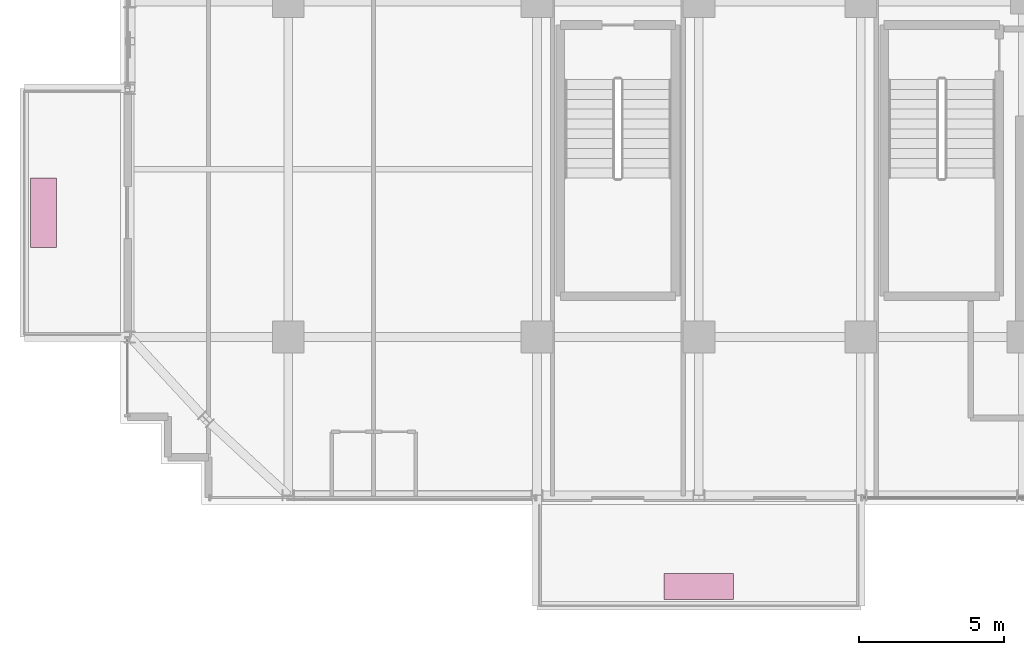
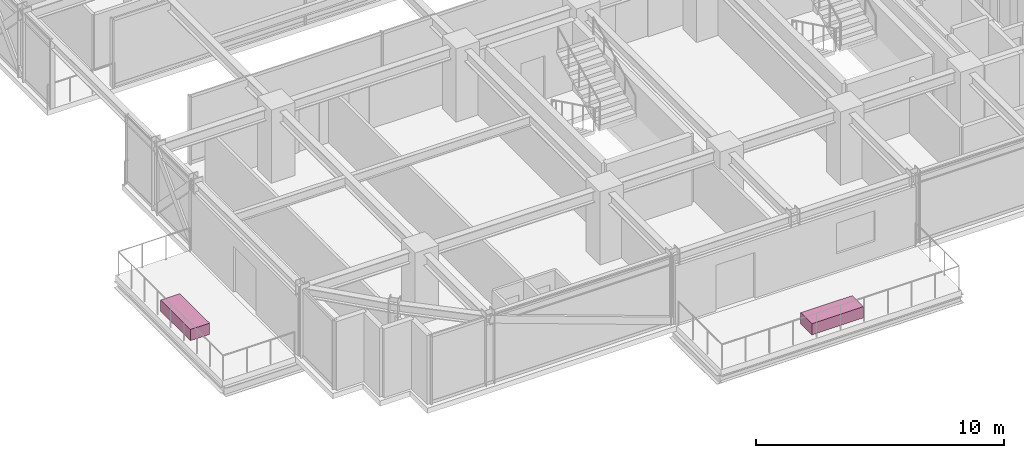
# One storey, part 35 of 35: 2 furnishings.
"""IFC4 building model written with IfcOpenShell, lengths in metres."""

from ifc_helpers import new_model, si_unit, direction, frame, origin, origin_2d, place, context, subcontext, project, spatial, rectangle, extrude, source, transform, mapped, material, type_object, element, save


model = new_model("IFC4")

# Units and contexts
model_context = context("Model", 3, precision=1e-05, world=origin(), true_north=direction((0.0, 1.0)))
body_context = subcontext(model_context, "Body", "Model", "MODEL_VIEW")
ifc_project = project(units=[si_unit("LENGTHUNIT", "METRE"), si_unit("AREAUNIT", "SQUARE_METRE"), si_unit("VOLUMEUNIT", "CUBIC_METRE"), si_unit("PLANEANGLEUNIT", "RADIAN"), si_unit("MASSUNIT", "GRAM", prefix="KILO")], contexts=[model_context])

# Site, building, storey
site_placement = place(None, origin())
site = spatial("IfcSite", under=ifc_project, at=site_placement, CompositionType="ELEMENT")
building_placement = place(site_placement, origin())
building = spatial("IfcBuilding", under=site, at=building_placement, Name="Nahalor Promenade Grand Hotel", CompositionType="ELEMENT")
storey_placement = place(building_placement, frame((0.0, 0.0, 185.5)))
storey = spatial("IfcBuildingStorey", under=building, at=storey_placement, Name="L47", CompositionType="ELEMENT", Elevation=185.5)

# Furnishings
ifc_material = material(Name="Vegetated Volcanic-Lapilli Tree Planter", Category="earth")
furnishing_element_type = type_object("IfcFurnishingElementType", Name="Planter-VerticalForest-Box", material=ifc_material)
shared_shape = source(origin(), body_context, "Body", "SweptSolid", [
    extrude(rectangle(XDim=2.39990234375, YDim=0.89990234375, at=origin_2d()), origin(), (0.0, 0.0, 1.0), 0.550048828125),
])
for number, where, z_axis, x_axis, name in (
    (1, (-2.800048828125, -25.6298828125, 0.0), (0.0, 0.0, 1.0), (1.0, 0.0, 0.0), "L47 Balcony Structural Tree Planter 1"),
    (2, (-25.4599609375, -12.699951171875, 0.0), (0.0, 0.0, 1.0), (0.0, 1.0, 0.0), "L47 Balcony Structural Tree Planter 2"),
):
    element("IfcFurnishingElement", number, at=place(storey_placement, frame(where, z_axis=z_axis, x_axis=x_axis)), inside=storey, type_object=furnishing_element_type, Name=name, ObjectType="PLANTER", context=body_context, shape_type="MappedRepresentation", body=[
        mapped(shared_shape, transform((0.0, 0.0, 0.0), scale=1.0)),
    ])

save(model, "model.ifc")
